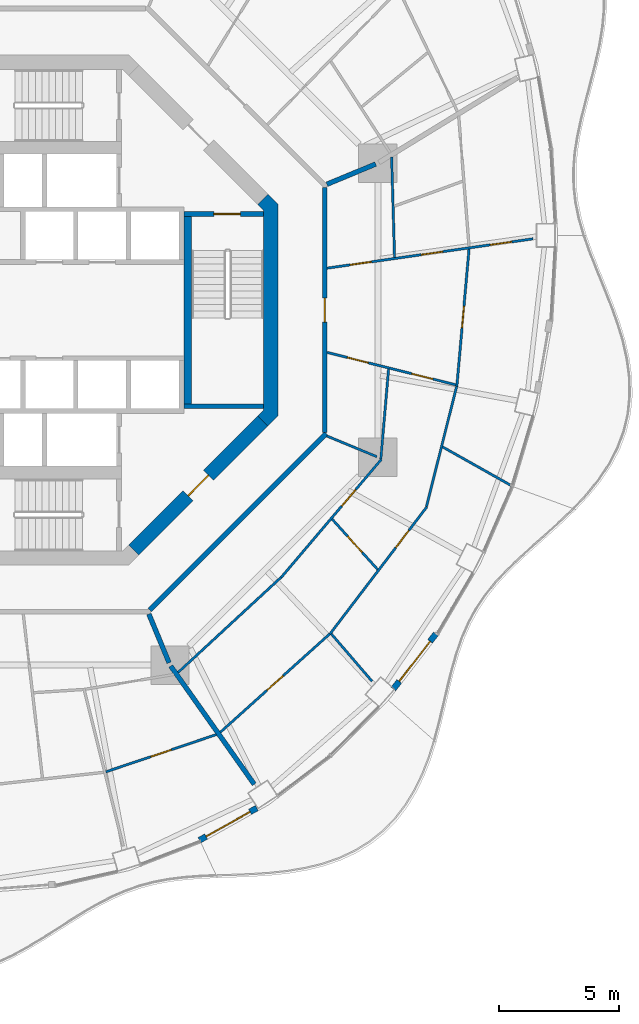
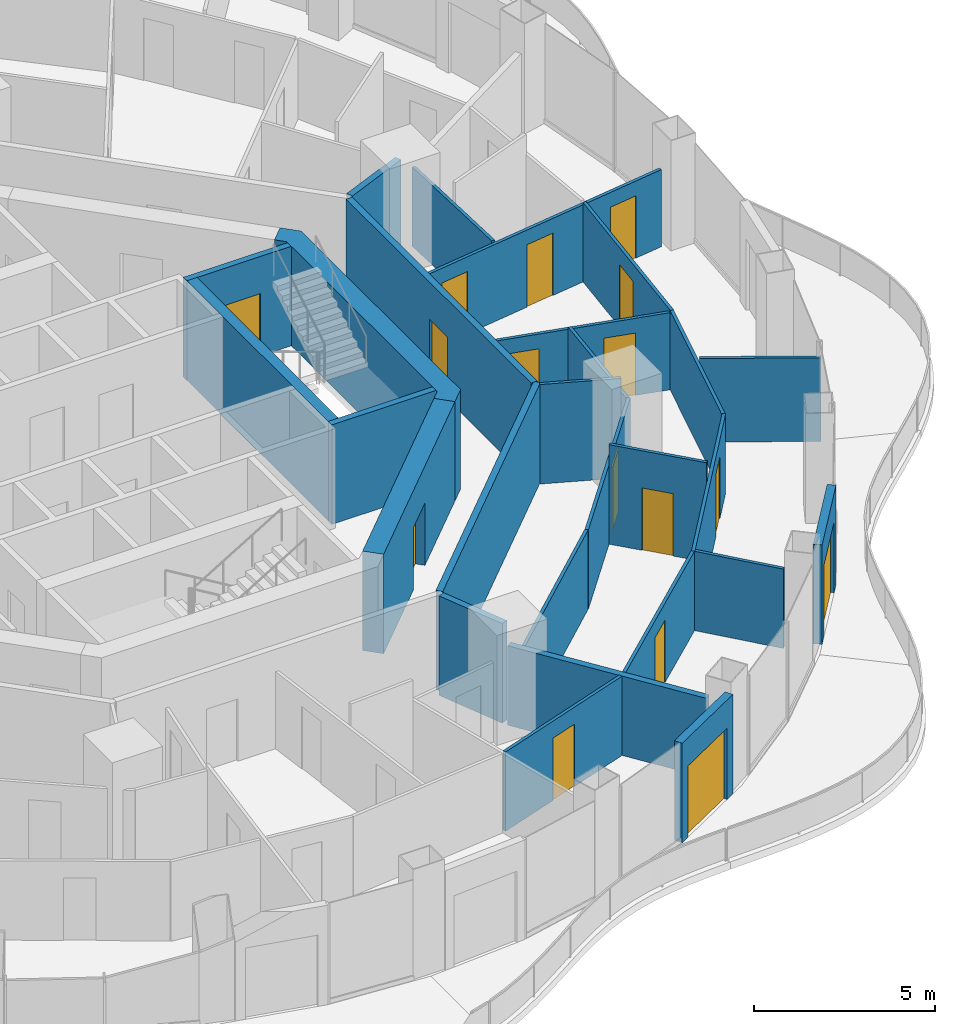
# One storey, part 12 of 18: 27 walls, 16 doors, 16 openings.
"""IFC4 building model written with IfcOpenShell, lengths in metres."""

from ifc_helpers import new_model, si_unit, direction, frame, frame_2d, origin, place, context, subcontext, project, spatial, polyline, rectangle, outline, extrude, material, layer, layer_set, type_object, element, fill, save


model = new_model("IFC4")

# Units and contexts
model_context = context("Model", 3, precision=1e-05, world=origin(), true_north=direction((0.0, 1.0)))
body_context = subcontext(model_context, "Body", "Model", "MODEL_VIEW")
ifc_project = project(units=[si_unit("LENGTHUNIT", "METRE"), si_unit("AREAUNIT", "SQUARE_METRE"), si_unit("VOLUMEUNIT", "CUBIC_METRE"), si_unit("PLANEANGLEUNIT", "RADIAN"), si_unit("MASSUNIT", "GRAM", prefix="KILO")], contexts=[model_context])

# Site, building, storey
site_placement = place(None, origin())
site = spatial("IfcSite", under=ifc_project, at=site_placement, CompositionType="ELEMENT")
building_placement = place(site_placement, origin())
building = spatial("IfcBuilding", under=site, at=building_placement, Name="Nagisa Residences", CompositionType="ELEMENT")
storey_placement = place(building_placement, frame((0.0, 0.0, 249.199951171875)))
storey = spatial("IfcBuildingStorey", under=building, at=storey_placement, Name="L63", CompositionType="ELEMENT", Elevation=249.199951171875)

# Walls
ifc_material_1 = material(Name="Gypsum board on steel studs", Category="steel")
ifc_layer_1 = layer(ifc_material_1, 0.199951171875)
ifc_layer_set_1 = layer_set([ifc_layer_1], Name="Apartment compartment wall EI60 200")
wall_type_1 = type_object("IfcWallType", Name="Apartment compartment wall EI60 200", PredefinedType="PARTITIONING", material=ifc_layer_set_1)
wall_1_placement = place(storey_placement, frame((12.6572265625, 5.24267578125, 0.0), z_axis=(0.0, 0.0, 1.0), x_axis=(0.92383017907, 0.382802560388, 0.0)))
element("IfcWall", 1, at=wall_1_placement, inside=storey, type_object=wall_type_1, Name="wall:L63:u00", PredefinedType="PARTITIONING", context=body_context, shape_type="SweptSolid", body=[
    extrude(rectangle(XDim=2.2001953125, YDim=0.199951171875, at=frame_2d((1.10009765625, 0.0))), origin(), (0.0, 0.0, 1.0), 3.35009765625),
])
wall_2_placement = place(storey_placement, frame((5.24267578125, -12.6572265625, 0.0), z_axis=(0.0, 0.0, 1.0), x_axis=(0.382691608661, -0.923876145736, 0.0)))
element("IfcWall", 2, at=wall_2_placement, inside=storey, type_object=wall_type_1, Name="wall:L63:u04", PredefinedType="PARTITIONING", context=body_context, shape_type="SweptSolid", body=[
    extrude(rectangle(XDim=2.19970703125, YDim=0.199951171875, at=frame_2d((1.099853515625, 0.0))), origin(), (0.0, 0.0, 1.0), 3.35009765625),
])
wall_3_placement = place(storey_placement, frame((6.15185546875, -14.822998046875, 0.0), z_axis=(0.0, 0.0, 1.0), x_axis=(0.576994695158, -0.816747893637, 0.0)))
element("IfcWall", 3, at=wall_3_placement, inside=storey, type_object=wall_type_1, Name="wall:L63:u05", PredefinedType="PARTITIONING", context=body_context, shape_type="SweptSolid", body=[
    extrude(rectangle(XDim=6.0302734375, YDim=0.199951171875, at=frame_2d((3.01513671875, 0.0))), origin(), (0.0, 0.0, 1.0), 2.672119140625),
])

# Wall, opening, door
ifc_material_2 = material(Name="Gypsum board on steel studs", Category="steel")
ifc_layer_2 = layer(ifc_material_2, 0.199951171875)
ifc_layer_set_2 = layer_set([ifc_layer_2], Name="Apartment entry wall EI60 200")
wall_type_2 = type_object("IfcWallType", Name="Apartment entry wall EI60 200", PredefinedType="PARTITIONING", material=ifc_layer_set_2)
wall_4_placement = place(storey_placement, frame((12.564697265625, -5.1044921875, 0.0), z_axis=(0.0, 0.0, 1.0), x_axis=(0.0, 1.0, 0.0)))
wall_4 = element("IfcWall", 4, at=wall_4_placement, inside=storey, type_object=wall_type_2, Name="wall:L63:u06", PredefinedType="PARTITIONING", context=body_context, shape_type="SweptSolid", body=[
    extrude(rectangle(XDim=10.208984375, YDim=0.199951171875, at=frame_2d((5.1044921875, 0.0))), origin(), (0.0, 0.0, 1.0), 3.35009765625),
])
opening_1_placement = place(wall_4_placement, frame((4.6044921875, 0.0, 0.0)))
opening_1 = element("IfcOpeningElement", 5, at=opening_1_placement, cuts=wall_4, Name="Opening L63-U01", PredefinedType="OPENING", context=body_context, shape_type="SweptSolid", body=[
    extrude(rectangle(XDim=1.0, YDim=2.10009765625, at=frame_2d((0.5, 1.050048828125))), frame((0.0, 0.10986328125, 0.0), z_axis=(0.0, -1.0, 0.0), x_axis=(1.0, 0.0, 0.0)), (0.0, 0.0, 1.0), 0.219970703125),
])
ifc_material_3 = material(Name="Timber fire door set", Category="wood")
door_type_1 = type_object("IfcDoorType", Name="Apartment entry door FD30S 1000x2100", OperationType="NOTDEFINED", PredefinedType="DOOR", material=ifc_material_3)
door_1_placement = place(opening_1_placement, frame((1.0, 0.0, 0.0), x_axis=(-1.0, 0.0, 0.0)))
door_1 = element("IfcDoor", 6, at=door_1_placement, inside=storey, type_object=door_type_1, Name="Entry door, Apartment 63A", OperationType="SINGLE_SWING_RIGHT", OverallHeight=2.10009765625, OverallWidth=1.0, PredefinedType="DOOR", context=body_context, shape_type="SweptSolid", body=[
    extrude(rectangle(XDim=1.0, YDim=2.10009765625, at=frame_2d((0.5, 1.050048828125))), frame((0.0, 0.02490234375, 0.0), z_axis=(0.0, -1.0, 0.0), x_axis=(1.0, 0.0, 0.0)), (0.0, 0.0, 1.0), 0.050048828125),
])
fill(opening_1, door_1)

# Wall
wall_5_placement = place(storey_placement, frame((5.275146484375, -12.494140625, 0.0), z_axis=(0.0, 0.0, 1.0), x_axis=(0.707106781187, 0.707106781187, 0.0)))
element("IfcWall", 7, at=wall_5_placement, inside=storey, type_object=wall_type_2, Name="wall:L63:u13", PredefinedType="PARTITIONING", context=body_context, shape_type="SweptSolid", body=[
    extrude(rectangle(XDim=10.4091796875, YDim=0.199951171875, at=frame_2d((5.20458984375, 0.0))), origin(), (0.0, 0.0, 1.0), 3.35009765625),
])

# Wall, openings, doors
ifc_material_4 = material(Name="Gypsum board on steel studs", Category="steel")
ifc_layer_3 = layer(ifc_material_4, 0.10009765625)
ifc_layer_set_3 = layer_set([ifc_layer_3], Name="Apartment partition 100")
wall_type_3 = type_object("IfcWallType", Name="Apartment partition 100", PredefinedType="PARTITIONING", material=ifc_layer_set_3)
wall_6_placement = place(storey_placement, frame((12.663818359375, 1.7490234375, 0.0), z_axis=(0.0, 0.0, 1.0), x_axis=(0.990001845476, 0.141054407783, 0.0)))
wall_6 = element("IfcWall", 8, at=wall_6_placement, inside=storey, type_object=wall_type_3, Name="wall:L63:u14", PredefinedType="PARTITIONING", context=body_context, shape_type="SweptSolid", body=[
    extrude(rectangle(XDim=8.662841796875, YDim=0.10009765625, at=frame_2d((4.33154296875, 0.0))), origin(), (0.0, 0.0, 1.0), 2.59716796875),
])
opening_2_placement = place(wall_6_placement, frame((0.970458984375, 0.0, 0.0)))
opening_2 = element("IfcOpeningElement", 9, at=opening_2_placement, cuts=wall_6, Name="Opening L63-U03", PredefinedType="OPENING", context=body_context, shape_type="SweptSolid", body=[
    extrude(rectangle(XDim=0.89990234375, YDim=2.10009765625, at=frame_2d((0.449951171875, 1.050048828125))), frame((0.0, 0.06005859375, 0.0), z_axis=(0.0, -1.0, 0.0), x_axis=(1.0, 0.0, 0.0)), (0.0, 0.0, 1.0), 0.1201171875),
])
opening_3_placement = place(wall_6_placement, frame((3.95947265625, 0.0, 0.0)))
opening_3 = element("IfcOpeningElement", 10, at=opening_3_placement, cuts=wall_6, Name="Opening L63-U05", PredefinedType="OPENING", context=body_context, shape_type="SweptSolid", body=[
    extrude(rectangle(XDim=0.89990234375, YDim=2.10009765625, at=frame_2d((0.449951171875, 1.050048828125))), frame((0.0, 0.06005859375, 0.0), z_axis=(0.0, -1.0, 0.0), x_axis=(1.0, 0.0, 0.0)), (0.0, 0.0, 1.0), 0.1201171875),
])
opening_4_placement = place(wall_6_placement, frame((6.870361328125, 0.0, 0.0)))
opening_4 = element("IfcOpeningElement", 11, at=opening_4_placement, cuts=wall_6, Name="Opening L63-U08", PredefinedType="OPENING", context=body_context, shape_type="SweptSolid", body=[
    extrude(rectangle(XDim=0.89990234375, YDim=2.10009765625, at=frame_2d((0.449951171875, 1.050048828125))), frame((0.0, 0.06005859375, 0.0), z_axis=(0.0, -1.0, 0.0), x_axis=(1.0, 0.0, 0.0)), (0.0, 0.0, 1.0), 0.1201171875),
])
ifc_material_5 = material(Name="Timber door set", Category="wood")
door_type_2 = type_object("IfcDoorType", Name="Apartment door 900x2100", OperationType="NOTDEFINED", PredefinedType="DOOR", material=ifc_material_5)
door_2_placement = place(opening_2_placement, origin())
door_2 = element("IfcDoor", 12, at=door_2_placement, inside=storey, type_object=door_type_2, Name="Door to store, Apartment 63A", OperationType="SINGLE_SWING_LEFT", OverallHeight=2.10009765625, OverallWidth=0.89990234375, PredefinedType="DOOR", context=body_context, shape_type="SweptSolid", body=[
    extrude(rectangle(XDim=0.89990234375, YDim=2.10009765625, at=frame_2d((0.449951171875, 1.050048828125))), frame((0.0, 0.02490234375, 0.0), z_axis=(0.0, -1.0, 0.0), x_axis=(1.0, 0.0, 0.0)), (0.0, 0.0, 1.0), 0.050048828125),
])
fill(opening_2, door_2)
door_3_placement = place(opening_3_placement, origin())
door_3 = element("IfcDoor", 13, at=door_3_placement, inside=storey, type_object=door_type_2, Name="Door to family bathroom, Apartment 63A", OperationType="SINGLE_SWING_LEFT", OverallHeight=2.10009765625, OverallWidth=0.89990234375, PredefinedType="DOOR", context=body_context, shape_type="SweptSolid", body=[
    extrude(rectangle(XDim=0.89990234375, YDim=2.10009765625, at=frame_2d((0.449951171875, 1.050048828125))), frame((0.0, 0.02490234375, 0.0), z_axis=(0.0, -1.0, 0.0), x_axis=(1.0, 0.0, 0.0)), (0.0, 0.0, 1.0), 0.050048828125),
])
fill(opening_3, door_3)
door_4_placement = place(opening_4_placement, origin())
door_4 = element("IfcDoor", 14, at=door_4_placement, inside=storey, type_object=door_type_2, Name="Door to bedroom, Apartment 63A", OperationType="SINGLE_SWING_RIGHT", OverallHeight=2.10009765625, OverallWidth=0.89990234375, PredefinedType="DOOR", context=body_context, shape_type="SweptSolid", body=[
    extrude(rectangle(XDim=0.89990234375, YDim=2.10009765625, at=frame_2d((0.449951171875, 1.050048828125))), frame((0.0, 0.02490234375, 0.0), z_axis=(0.0, -1.0, 0.0), x_axis=(1.0, 0.0, 0.0)), (0.0, 0.0, 1.0), 0.050048828125),
])
fill(opening_4, door_4)

# Wall
wall_7_placement = place(storey_placement, frame((15.474853515625, 2.19970703125, 0.0), z_axis=(0.0, 0.0, 1.0), x_axis=(-0.029254623973, 0.999571991893, 0.0)))
element("IfcWall", 15, at=wall_7_placement, inside=storey, type_object=wall_type_3, Name="wall:L63:u15", PredefinedType="PARTITIONING", context=body_context, shape_type="SweptSolid", body=[
    extrude(rectangle(XDim=4.172607421875, YDim=0.10009765625, at=frame_2d((2.08642578125, 0.0))), origin(), (0.0, 0.0, 1.0), 2.672119140625),
])

# Wall, opening, door
wall_8_placement = place(storey_placement, frame((18.57763671875, 2.54248046875, 0.0), z_axis=(0.0, 0.0, 1.0), x_axis=(-0.088651453697, -0.996062708748, 0.0)))
wall_8 = element("IfcWall", 16, at=wall_8_placement, inside=storey, type_object=wall_type_3, Name="wall:L63:u17", PredefinedType="PARTITIONING", context=body_context, shape_type="SweptSolid", body=[
    extrude(rectangle(XDim=5.736572265625, YDim=0.10009765625, at=frame_2d((2.8681640625, 0.0))), origin(), (0.0, 0.0, 1.0), 2.672119140625),
])
opening_5_placement = place(wall_8_placement, frame((2.39306640625, 0.0, 0.0)))
opening_5 = element("IfcOpeningElement", 17, at=opening_5_placement, cuts=wall_8, Name="Opening L63-U07", PredefinedType="OPENING", context=body_context, shape_type="SweptSolid", body=[
    extrude(rectangle(XDim=0.89990234375, YDim=2.10009765625, at=frame_2d((0.449951171875, 1.050048828125))), frame((0.0, 0.06005859375, 0.0), z_axis=(0.0, -1.0, 0.0), x_axis=(1.0, 0.0, 0.0)), (0.0, 0.0, 1.0), 0.1201171875),
])
door_5_placement = place(opening_5_placement, origin())
door_5 = element("IfcDoor", 18, at=door_5_placement, inside=storey, type_object=door_type_2, Name="Door to family room, Apartment 63A", OperationType="SINGLE_SWING_LEFT", OverallHeight=2.10009765625, OverallWidth=0.89990234375, PredefinedType="DOOR", context=body_context, shape_type="SweptSolid", body=[
    extrude(rectangle(XDim=0.89990234375, YDim=2.10009765625, at=frame_2d((0.449951171875, 1.050048828125))), frame((0.0, 0.02490234375, 0.0), z_axis=(0.0, -1.0, 0.0), x_axis=(1.0, 0.0, 0.0)), (0.0, 0.0, 1.0), 0.050048828125),
])
fill(opening_5, door_5)

wall_9_placement = place(storey_placement, frame((3.453125, -19.228759765625, 0.0), z_axis=(0.0, 0.0, 1.0), x_axis=(0.947565610716, 0.31956128268, 0.0)))
wall_9 = element("IfcWall", 19, at=wall_9_placement, inside=storey, type_object=wall_type_3, Name="wall:L63:u78", PredefinedType="PARTITIONING", context=body_context, shape_type="SweptSolid", body=[
    extrude(rectangle(XDim=4.852783203125, YDim=0.10009765625, at=frame_2d((2.42626953125, 0.0))), origin(), (0.0, 0.0, 1.0), 2.672119140625),
])
opening_6_placement = place(wall_9_placement, frame((1.976318359375, 0.0, 0.0)))
opening_6 = element("IfcOpeningElement", 20, at=opening_6_placement, cuts=wall_9, Name="Opening L63-U47", PredefinedType="OPENING", context=body_context, shape_type="SweptSolid", body=[
    extrude(rectangle(XDim=0.89990234375, YDim=2.10009765625, at=frame_2d((0.449951171875, 1.050048828125))), frame((0.0, 0.06005859375, 0.0), z_axis=(0.0, -1.0, 0.0), x_axis=(1.0, 0.0, 0.0)), (0.0, 0.0, 1.0), 0.1201171875),
])
door_6_placement = place(opening_6_placement, frame((0.89990234375, 0.0, 0.0), x_axis=(-1.0, 0.0, 0.0)))
door_6 = element("IfcDoor", 21, at=door_6_placement, inside=storey, type_object=door_type_2, Name="Door to bedroom, Apartment 63C", OperationType="SINGLE_SWING_RIGHT", OverallHeight=2.10009765625, OverallWidth=0.89990234375, PredefinedType="DOOR", context=body_context, shape_type="SweptSolid", body=[
    extrude(rectangle(XDim=0.89990234375, YDim=2.10009765625, at=frame_2d((0.449951171875, 1.050048828125))), frame((0.0, 0.02490234375, 0.0), z_axis=(0.0, -1.0, 0.0), x_axis=(1.0, 0.0, 0.0)), (0.0, 0.0, 1.0), 0.050048828125),
])
fill(opening_6, door_6)

# Wall
wall_10_placement = place(storey_placement, frame((6.460693359375, -15.08837890625, 0.0), z_axis=(0.0, 0.0, 1.0), x_axis=(0.73461579427, 0.678483334217, 0.0)))
element("IfcWall", 22, at=wall_10_placement, inside=storey, type_object=wall_type_3, Name="wall:L63:u79", PredefinedType="PARTITIONING", context=body_context, shape_type="SweptSolid", body=[
    extrude(rectangle(XDim=5.8369140625, YDim=0.10009765625, at=frame_2d((2.91845703125, 0.0))), origin(), (0.0, 0.0, 1.0), 2.672119140625),
])

# Wall, opening, door
wall_11_placement = place(storey_placement, frame((8.220458984375, -17.5791015625, 0.0), z_axis=(0.0, 0.0, 1.0), x_axis=(0.743696370895, 0.668517544958, 0.0)))
wall_11 = element("IfcWall", 23, at=wall_11_placement, inside=storey, type_object=wall_type_3, Name="wall:L63:u80", PredefinedType="PARTITIONING", context=body_context, shape_type="SweptSolid", body=[
    extrude(rectangle(XDim=6.124755859375, YDim=0.10009765625, at=frame_2d((3.0625, 0.0))), origin(), (0.0, 0.0, 1.0), 2.672119140625),
])
opening_7_placement = place(wall_11_placement, frame((2.6123046875, 0.0, 0.0)))
opening_7 = element("IfcOpeningElement", 24, at=opening_7_placement, cuts=wall_11, Name="Opening L63-U12", PredefinedType="OPENING", context=body_context, shape_type="SweptSolid", body=[
    extrude(rectangle(XDim=0.89990234375, YDim=2.10009765625, at=frame_2d((0.449951171875, 1.050048828125))), frame((0.0, 0.06005859375, 0.0), z_axis=(0.0, -1.0, 0.0), x_axis=(1.0, 0.0, 0.0)), (0.0, 0.0, 1.0), 0.1201171875),
])
door_7_placement = place(opening_7_placement, frame((0.89990234375, 0.0, 0.0), x_axis=(-1.0, 0.0, 0.0)))
door_7 = element("IfcDoor", 25, at=door_7_placement, inside=storey, type_object=door_type_2, Name="Door to study, Apartment 63A", OperationType="SINGLE_SWING_LEFT", OverallHeight=2.10009765625, OverallWidth=0.89990234375, PredefinedType="DOOR", context=body_context, shape_type="SweptSolid", body=[
    extrude(rectangle(XDim=0.89990234375, YDim=2.10009765625, at=frame_2d((0.449951171875, 1.050048828125))), frame((0.0, 0.02490234375, 0.0), z_axis=(0.0, -1.0, 0.0), x_axis=(1.0, 0.0, 0.0)), (0.0, 0.0, 1.0), 0.050048828125),
])
fill(opening_7, door_7)

wall_12_placement = place(storey_placement, frame((10.7529296875, -11.13232421875, 0.0), z_axis=(0.0, 0.0, 1.0), x_axis=(0.64700741656, 0.762483706657, 0.0)))
wall_12 = element("IfcWall", 26, at=wall_12_placement, inside=storey, type_object=wall_type_3, Name="wall:L63:u81", PredefinedType="PARTITIONING", context=body_context, shape_type="SweptSolid", body=[
    extrude(rectangle(XDim=6.458984375, YDim=0.10009765625, at=frame_2d((3.2294921875, 0.0))), origin(), (0.0, 0.0, 1.0), 2.672119140625),
])
opening_8_placement = place(wall_12_placement, frame((3.8955078125, 0.0, 0.0)))
opening_8 = element("IfcOpeningElement", 27, at=opening_8_placement, cuts=wall_12, Name="Opening L63-U09", PredefinedType="OPENING", context=body_context, shape_type="SweptSolid", body=[
    extrude(rectangle(XDim=0.89990234375, YDim=2.10009765625, at=frame_2d((0.449951171875, 1.050048828125))), frame((0.0, 0.06005859375, 0.0), z_axis=(0.0, -1.0, 0.0), x_axis=(1.0, 0.0, 0.0)), (0.0, 0.0, 1.0), 0.1201171875),
])
door_8_placement = place(opening_8_placement, origin())
door_8 = element("IfcDoor", 28, at=door_8_placement, inside=storey, type_object=door_type_2, Name="Door to laundry, Apartment 63A", OperationType="SINGLE_SWING_LEFT", OverallHeight=2.10009765625, OverallWidth=0.89990234375, PredefinedType="DOOR", context=body_context, shape_type="SweptSolid", body=[
    extrude(rectangle(XDim=0.89990234375, YDim=2.10009765625, at=frame_2d((0.449951171875, 1.050048828125))), frame((0.0, 0.02490234375, 0.0), z_axis=(0.0, -1.0, 0.0), x_axis=(1.0, 0.0, 0.0)), (0.0, 0.0, 1.0), 0.050048828125),
])
fill(opening_8, door_8)

# Wall
wall_13_placement = place(storey_placement, frame((12.84521484375, -13.489013671875, 0.0), z_axis=(0.0, 0.0, 1.0), x_axis=(0.652092276587, -0.758139606416, 0.0)))
element("IfcWall", 29, at=wall_13_placement, inside=storey, type_object=wall_type_3, Name="wall:L63:u82", PredefinedType="PARTITIONING", context=body_context, shape_type="SweptSolid", body=[
    extrude(rectangle(XDim=2.594482421875, YDim=0.10009765625, at=frame_2d((1.29736328125, 0.0))), origin(), (0.0, 0.0, 1.0), 2.672119140625),
])

# Wall, opening, door
wall_14_placement = place(storey_placement, frame((12.7822265625, -13.490966796875, 0.0), z_axis=(0.0, 0.0, 1.0), x_axis=(0.606125925512, 0.795368695903, 0.0)))
wall_14 = element("IfcWall", 30, at=wall_14_placement, inside=storey, type_object=wall_type_3, Name="wall:L63:u83", PredefinedType="PARTITIONING", context=body_context, shape_type="SweptSolid", body=[
    extrude(rectangle(XDim=6.669677734375, YDim=0.10009765625, at=frame_2d((3.3349609375, 0.0))), origin(), (0.0, 0.0, 1.0), 2.672119140625),
])
opening_9_placement = place(wall_14_placement, frame((4.52734375, 0.0, 0.0)))
opening_9 = element("IfcOpeningElement", 31, at=opening_9_placement, cuts=wall_14, Name="Opening L63-U06", PredefinedType="OPENING", context=body_context, shape_type="SweptSolid", body=[
    extrude(rectangle(XDim=0.89990234375, YDim=2.10009765625, at=frame_2d((0.449951171875, 1.050048828125))), frame((0.0, 0.06005859375, 0.0), z_axis=(0.0, -1.0, 0.0), x_axis=(1.0, 0.0, 0.0)), (0.0, 0.0, 1.0), 0.1201171875),
])
door_9_placement = place(opening_9_placement, frame((0.89990234375, 0.0, 0.0), x_axis=(-1.0, 0.0, 0.0)))
door_9 = element("IfcDoor", 32, at=door_9_placement, inside=storey, type_object=door_type_2, Name="Door to bedroom, Apartment 63A", OperationType="SINGLE_SWING_LEFT", OverallHeight=2.10009765625, OverallWidth=0.89990234375, PredefinedType="DOOR", context=body_context, shape_type="SweptSolid", body=[
    extrude(rectangle(XDim=0.89990234375, YDim=2.10009765625, at=frame_2d((0.449951171875, 1.050048828125))), frame((0.0, 0.02490234375, 0.0), z_axis=(0.0, -1.0, 0.0), x_axis=(1.0, 0.0, 0.0)), (0.0, 0.0, 1.0), 0.050048828125),
])
fill(opening_9, door_9)

wall_15_placement = place(storey_placement, frame((12.8759765625, -8.70703125, 0.0), z_axis=(0.0, 0.0, 1.0), x_axis=(0.670768418052, -0.741666858733, 0.0)))
wall_15 = element("IfcWall", 33, at=wall_15_placement, inside=storey, type_object=wall_type_3, Name="wall:L63:u84", PredefinedType="PARTITIONING", context=body_context, shape_type="SweptSolid", body=[
    extrude(rectangle(XDim=2.82373046875, YDim=0.10009765625, at=frame_2d((1.411865234375, 0.0))), origin(), (0.0, 0.0, 1.0), 3.35009765625),
])
opening_10_placement = place(wall_15_placement, frame((0.9619140625, 0.0, 0.0)))
opening_10 = element("IfcOpeningElement", 34, at=opening_10_placement, cuts=wall_15, Name="Opening L63-U10", PredefinedType="OPENING", context=body_context, shape_type="SweptSolid", body=[
    extrude(rectangle(XDim=0.89990234375, YDim=2.10009765625, at=frame_2d((0.449951171875, 1.050048828125))), frame((0.0, 0.06005859375, 0.0), z_axis=(0.0, -1.0, 0.0), x_axis=(1.0, 0.0, 0.0)), (0.0, 0.0, 1.0), 0.1201171875),
])
door_10_placement = place(opening_10_placement, frame((0.89990234375, 0.0, 0.0), x_axis=(-1.0, 0.0, 0.0)))
door_10 = element("IfcDoor", 35, at=door_10_placement, inside=storey, type_object=door_type_2, Name="Door to kitchen, Apartment 63A", OperationType="SINGLE_SWING_LEFT", OverallHeight=2.10009765625, OverallWidth=0.89990234375, PredefinedType="DOOR", context=body_context, shape_type="SweptSolid", body=[
    extrude(rectangle(XDim=0.89990234375, YDim=2.10009765625, at=frame_2d((0.449951171875, 1.050048828125))), frame((0.0, 0.02490234375, 0.0), z_axis=(0.0, -1.0, 0.0), x_axis=(1.0, 0.0, 0.0)), (0.0, 0.0, 1.0), 0.050048828125),
])
fill(opening_10, door_10)

# Walls
wall_16_placement = place(storey_placement, frame((12.6572265625, -5.24267578125, 0.0), z_axis=(0.0, 0.0, 1.0), x_axis=(0.923864733477, -0.382719158442, 0.0)))
element("IfcWall", 36, at=wall_16_placement, inside=storey, type_object=wall_type_3, Name="wall:L63:u85", PredefinedType="PARTITIONING", context=body_context, shape_type="SweptSolid", body=[
    extrude(rectangle(XDim=2.25, YDim=0.10009765625, at=frame_2d((1.125, 0.0))), origin(), (0.0, 0.0, 1.0), 3.35009765625),
])
wall_17_placement = place(storey_placement, frame((14.90380859375, -6.19580078125, 0.0), z_axis=(0.0, 0.0, 1.0), x_axis=(0.085843822439, 0.996308605879, 0.0)))
element("IfcWall", 37, at=wall_17_placement, inside=storey, type_object=wall_type_3, Name="wall:L63:u86", PredefinedType="PARTITIONING", context=body_context, shape_type="SweptSolid", body=[
    extrude(rectangle(XDim=3.754150390625, YDim=0.10009765625, at=frame_2d((1.876953125, 0.0))), origin(), (0.0, 0.0, 1.0), 2.672119140625),
])
wall_18_placement = place(storey_placement, frame((16.806884765625, -8.17724609375, 0.0), z_axis=(0.0, 0.0, 1.0), x_axis=(0.243002985225, 0.970025540474, 0.0)))
element("IfcWall", 38, at=wall_18_placement, inside=storey, type_object=wall_type_3, Name="wall:L63:u87", PredefinedType="PARTITIONING", context=body_context, shape_type="SweptSolid", body=[
    extrude(rectangle(XDim=5.162109375, YDim=0.10009765625, at=frame_2d((2.5810546875, 0.0))), origin(), (0.0, 0.0, 1.0), 2.672119140625),
])
wall_19_placement = place(storey_placement, frame((17.4775390625, -5.6982421875, 0.0), z_axis=(0.0, 0.0, 1.0), x_axis=(0.871478399743, -0.490433888288, 0.0)))
element("IfcWall", 39, at=wall_19_placement, inside=storey, type_object=wall_type_3, Name="wall:L63:u88", PredefinedType="PARTITIONING", context=body_context, shape_type="SweptSolid", body=[
    extrude(rectangle(XDim=3.356689453125, YDim=0.10009765625, at=frame_2d((1.67822265625, 0.0))), origin(), (0.0, 0.0, 1.0), 2.81494140625),
])

# Wall, openings, doors
wall_20_placement = place(storey_placement, frame((12.66162109375, -1.75927734375, 0.0), z_axis=(0.0, 0.0, 1.0), x_axis=(0.969746519828, -0.24411408661, 0.0)))
wall_20 = element("IfcWall", 40, at=wall_20_placement, inside=storey, type_object=wall_type_3, Name="wall:L63:u89", PredefinedType="PARTITIONING", context=body_context, shape_type="SweptSolid", body=[
    extrude(rectangle(XDim=5.530517578125, YDim=0.10009765625, at=frame_2d((2.76513671875, 0.0))), origin(), (0.0, 0.0, 1.0), 2.59716796875),
])
opening_11_placement = place(wall_20_placement, frame((0.874267578125, 0.0, 0.0)))
opening_11 = element("IfcOpeningElement", 41, at=opening_11_placement, cuts=wall_20, Name="Opening L63-U02", PredefinedType="OPENING", context=body_context, shape_type="SweptSolid", body=[
    extrude(rectangle(XDim=0.89990234375, YDim=2.10009765625, at=frame_2d((0.449951171875, 1.050048828125))), frame((0.0, 0.06005859375, 0.0), z_axis=(0.0, -1.0, 0.0), x_axis=(1.0, 0.0, 0.0)), (0.0, 0.0, 1.0), 0.1201171875),
])
opening_12_placement = place(wall_20_placement, frame((3.6396484375, 0.0, 0.0)))
opening_12 = element("IfcOpeningElement", 42, at=opening_12_placement, cuts=wall_20, Name="Opening L63-U04", PredefinedType="OPENING", context=body_context, shape_type="SweptSolid", body=[
    extrude(rectangle(XDim=0.89990234375, YDim=2.10009765625, at=frame_2d((0.449951171875, 1.050048828125))), frame((0.0, 0.06005859375, 0.0), z_axis=(0.0, -1.0, 0.0), x_axis=(1.0, 0.0, 0.0)), (0.0, 0.0, 1.0), 0.1201171875),
])
door_11_placement = place(opening_11_placement, frame((0.89990234375, 0.0, 0.0), x_axis=(-1.0, 0.0, 0.0)))
door_11 = element("IfcDoor", 43, at=door_11_placement, inside=storey, type_object=door_type_2, Name="Door to store, Apartment 63A", OperationType="SINGLE_SWING_LEFT", OverallHeight=2.10009765625, OverallWidth=0.89990234375, PredefinedType="DOOR", context=body_context, shape_type="SweptSolid", body=[
    extrude(rectangle(XDim=0.89990234375, YDim=2.10009765625, at=frame_2d((0.449951171875, 1.050048828125))), frame((0.0, 0.02490234375, 0.0), z_axis=(0.0, -1.0, 0.0), x_axis=(1.0, 0.0, 0.0)), (0.0, 0.0, 1.0), 0.050048828125),
])
fill(opening_11, door_11)
door_12_placement = place(opening_12_placement, frame((0.89990234375, 0.0, 0.0), x_axis=(-1.0, 0.0, 0.0)))
door_12 = element("IfcDoor", 44, at=door_12_placement, inside=storey, type_object=door_type_2, Name="Door to study, Apartment 63A", OperationType="SINGLE_SWING_LEFT", OverallHeight=2.10009765625, OverallWidth=0.89990234375, PredefinedType="DOOR", context=body_context, shape_type="SweptSolid", body=[
    extrude(rectangle(XDim=0.89990234375, YDim=2.10009765625, at=frame_2d((0.449951171875, 1.050048828125))), frame((0.0, 0.02490234375, 0.0), z_axis=(0.0, -1.0, 0.0), x_axis=(1.0, 0.0, 0.0)), (0.0, 0.0, 1.0), 0.050048828125),
])
fill(opening_12, door_12)

# Wall, opening, door
ifc_material_6 = material(Name="Precast concrete C40/50", Category="concrete")
ifc_layer_4 = layer(ifc_material_6, 0.25)
ifc_layer_set_4 = layer_set([ifc_layer_4], Name="BALCONY DOOR WALL 250")
wall_type_4 = type_object("IfcWallType", Name="BALCONY DOOR WALL 250", PredefinedType="SOLIDWALL", material=ifc_layer_set_4)
wall_21_placement = place(storey_placement, frame((9.73779296875, -20.738525390625, 0.0), z_axis=(0.0, 0.0, 1.0), x_axis=(-0.872079929129, -0.489363461254, 0.0)))
wall_21 = element("IfcWall", 45, at=wall_21_placement, inside=storey, type_object=wall_type_4, Name="wall:L63:bay39", PredefinedType="SOLIDWALL", context=body_context, shape_type="SweptSolid", body=[
    extrude(rectangle(XDim=2.738037109375, YDim=0.25, at=frame_2d((1.369140625, 0.0))), origin(), (0.0, 0.0, 1.0), 3.35009765625),
])
opening_13_placement = place(wall_21_placement, frame((0.319091796875, 0.0, 0.0)))
opening_13 = element("IfcOpeningElement", 46, at=opening_13_placement, cuts=wall_21, Name="Opening BD-L63-14", PredefinedType="OPENING", context=body_context, shape_type="SweptSolid", body=[
    extrude(rectangle(XDim=2.10009765625, YDim=2.39990234375, at=frame_2d((1.050048828125, 1.199951171875))), frame((0.0, 0.135009765625, 0.0), z_axis=(0.0, -1.0, 0.0), x_axis=(1.0, 0.0, 0.0)), (0.0, 0.0, 1.0), 0.27001953125),
])
ifc_material_7 = material(Name="Aluminium and clear glass", Category="aluminium")
door_type_3 = type_object("IfcDoorType", Name="BALCONY SLIDING DOOR 2100x2400", OperationType="SLIDING_TO_LEFT", PredefinedType="DOOR", material=ifc_material_7)
door_13_placement = place(opening_13_placement, origin())
door_13 = element("IfcDoor", 47, at=door_13_placement, inside=storey, type_object=door_type_3, Name="door:L63:bay39", OperationType="SLIDING_TO_LEFT", OverallHeight=2.39990234375, OverallWidth=2.10009765625, PredefinedType="DOOR", context=body_context, shape_type="SweptSolid", body=[
    extrude(rectangle(XDim=2.10009765625, YDim=2.39990234375, at=frame_2d((1.050048828125, 1.199951171875))), frame((0.0, 0.02490234375, 0.0), z_axis=(0.0, -1.0, 0.0), x_axis=(1.0, 0.0, 0.0)), (0.0, 0.0, 1.0), 0.050048828125),
])
fill(opening_13, door_13)

wall_22_placement = place(storey_placement, frame((17.197021484375, -13.47998046875, 0.0), z_axis=(0.0, 0.0, 1.0), x_axis=(-0.610438565676, -0.792063607001, 0.0)))
wall_22 = element("IfcWall", 48, at=wall_22_placement, inside=storey, type_object=wall_type_4, Name="wall:L63:bay42", PredefinedType="SOLIDWALL", context=body_context, shape_type="SweptSolid", body=[
    extrude(rectangle(XDim=2.90087890625, YDim=0.25, at=frame_2d((1.450439453125, 0.0))), origin(), (0.0, 0.0, 1.0), 3.35009765625),
])
opening_14_placement = place(wall_22_placement, frame((0.400390625, 0.0, 0.0)))
opening_14 = element("IfcOpeningElement", 49, at=opening_14_placement, cuts=wall_22, Name="Opening BD-L63-15", PredefinedType="OPENING", context=body_context, shape_type="SweptSolid", body=[
    extrude(rectangle(XDim=2.10009765625, YDim=2.39990234375, at=frame_2d((1.050048828125, 1.199951171875))), frame((0.0, 0.135009765625, 0.0), z_axis=(0.0, -1.0, 0.0), x_axis=(1.0, 0.0, 0.0)), (0.0, 0.0, 1.0), 0.27001953125),
])
door_14_placement = place(opening_14_placement, origin())
door_14 = element("IfcDoor", 50, at=door_14_placement, inside=storey, type_object=door_type_3, Name="door:L63:bay42", OperationType="SLIDING_TO_LEFT", OverallHeight=2.39990234375, OverallWidth=2.10009765625, PredefinedType="DOOR", context=body_context, shape_type="SweptSolid", body=[
    extrude(rectangle(XDim=2.10009765625, YDim=2.39990234375, at=frame_2d((1.050048828125, 1.199951171875))), frame((0.0, 0.02490234375, 0.0), z_axis=(0.0, -1.0, 0.0), x_axis=(1.0, 0.0, 0.0)), (0.0, 0.0, 1.0), 0.050048828125),
])
fill(opening_14, door_14)

ifc_material_8 = material(Name="Concrete C60", Category="concrete")
ifc_layer_5 = layer(ifc_material_8, 0.60009765625)
ifc_layer_set_5 = layer_set([ifc_layer_5], Name="Core shear wall 600")
wall_type_5 = type_object("IfcWallType", Name="Core shear wall 600", PredefinedType="SHEAR", material=ifc_layer_set_5)
wall_23_placement = place(storey_placement, frame((4.613037109375, -9.98828125, 0.0), z_axis=(0.0, 0.0, 1.0), x_axis=(0.707106781187, 0.707106781187, 0.0)))
wall_23 = element("IfcWall", 51, at=wall_23_placement, inside=storey, type_object=wall_type_5, Name="wall:L63:core:flat7", PredefinedType="SHEAR", context=body_context, shape_type="SweptSolid", body=[
    extrude(rectangle(XDim=7.601806640625, YDim=0.60009765625, at=frame_2d((3.80078125, 0.0))), origin(), (0.0, 0.0, 1.0), 3.35009765625),
])
opening_15_placement = place(wall_23_placement, frame((3.200927734375, 0.0, 0.0)))
opening_15 = element("IfcOpeningElement", 52, at=opening_15_placement, cuts=wall_23, Name="Opening L63-C20", PredefinedType="OPENING", context=body_context, shape_type="SweptSolid", body=[
    extrude(rectangle(XDim=1.199951171875, YDim=2.10009765625, at=frame_2d((0.60009765625, 1.050048828125))), frame((0.0, 0.31005859375, 0.0), z_axis=(0.0, -1.0, 0.0), x_axis=(1.0, 0.0, 0.0)), (0.0, 0.0, 1.0), 0.6201171875),
])
ifc_material_9 = material(Name="Steel fire door", Category="steel")
door_type_4 = type_object("IfcDoorType", Name="Fire door EI60 1200x2100 single swing", OperationType="NOTDEFINED", PredefinedType="DOOR", material=ifc_material_9)
door_15_placement = place(opening_15_placement, origin())
door_15 = element("IfcDoor", 53, at=door_15_placement, inside=storey, type_object=door_type_4, Name="Firefighting lobby 2 door L63", OperationType="SINGLE_SWING_RIGHT", OverallHeight=2.10009765625, OverallWidth=1.199951171875, PredefinedType="DOOR", context=body_context, shape_type="SweptSolid", body=[
    extrude(rectangle(XDim=1.199951171875, YDim=2.10009765625, at=frame_2d((0.60009765625, 1.050048828125))), frame((0.0, 0.02490234375, 0.0), z_axis=(0.0, -1.0, 0.0), x_axis=(1.0, 0.0, 0.0)), (0.0, 0.0, 1.0), 0.050048828125),
])
fill(opening_15, door_15)

# Wall
wall_24_placement = place(storey_placement, origin())
element("IfcWall", 54, at=wall_24_placement, inside=storey, type_object=wall_type_5, Name="wall:L63:core:flat0", PredefinedType="SHEAR", context=body_context, shape_type="SweptSolid", body=[
    extrude(outline(polyline([(9.776123046875, -4.40087890625), (10.024658203125, -4.15234375), (10.024658203125, -3.801025390625), (10.024658203125, 4.15234375), (9.776123046875, 4.40087890625), (10.200439453125, 4.8251953125), (10.62451171875, 4.40087890625), (10.62451171875, -4.40087890625), (10.200439453125, -4.8251953125), (9.776123046875, -4.40087890625)])), origin(), (0.0, 0.0, 1.0), 3.35009765625),
])

# Wall, opening, door
ifc_material_10 = material(Name="Concrete C60", Category="concrete")
ifc_layer_6 = layer(ifc_material_10, 0.199951171875)
ifc_layer_set_6 = layer_set([ifc_layer_6], Name="Stair enclosure wall 200")
wall_type_6 = type_object("IfcWallType", Name="Stair enclosure wall 200", PredefinedType="SOLIDWALL", material=ifc_layer_set_6)
wall_25_placement = place(storey_placement, frame((6.699951171875, 4.0, 0.0), z_axis=(0.0, 0.0, 1.0), x_axis=(1.0, 0.0, 0.0)))
wall_25 = element("IfcWall", 55, at=wall_25_placement, inside=storey, type_object=wall_type_6, Name="wall:L63:SE_n", PredefinedType="SOLIDWALL", context=body_context, shape_type="SweptSolid", body=[
    extrude(rectangle(XDim=3.32470703125, YDim=0.199951171875, at=frame_2d((1.662353515625, 0.0))), origin(), (0.0, 0.0, 1.0), 3.35009765625),
])
opening_16_placement = place(wall_25_placement, frame((1.25, 0.0, 0.0)))
opening_16 = element("IfcOpeningElement", 56, at=opening_16_placement, cuts=wall_25, Name="Opening L63-C08", PredefinedType="OPENING", context=body_context, shape_type="SweptSolid", body=[
    extrude(rectangle(XDim=1.10009765625, YDim=2.10009765625, at=frame_2d((0.550048828125, 1.050048828125))), frame((0.0, 0.10986328125, 0.0), z_axis=(0.0, -1.0, 0.0), x_axis=(1.0, 0.0, 0.0)), (0.0, 0.0, 1.0), 0.219970703125),
])
ifc_material_11 = material(Name="Steel fire door", Category="steel")
door_type_5 = type_object("IfcDoorType", Name="Fire door EI90 1100x2100 single swing", OperationType="NOTDEFINED", PredefinedType="DOOR", material=ifc_material_11)
door_16_placement = place(opening_16_placement, frame((1.10009765625, 0.0, 0.0), x_axis=(-1.0, 0.0, 0.0)))
door_16 = element("IfcDoor", 57, at=door_16_placement, inside=storey, type_object=door_type_5, Name="Stair door ST-E L63", OperationType="SINGLE_SWING_RIGHT", OverallHeight=2.10009765625, OverallWidth=1.10009765625, PredefinedType="DOOR", context=body_context, shape_type="SweptSolid", body=[
    extrude(rectangle(XDim=1.10009765625, YDim=2.10009765625, at=frame_2d((0.550048828125, 1.050048828125))), frame((0.0, 0.02490234375, 0.0), z_axis=(0.0, -1.0, 0.0), x_axis=(1.0, 0.0, 0.0)), (0.0, 0.0, 1.0), 0.050048828125),
])
fill(opening_16, door_16)

# Walls
wall_26_placement = place(storey_placement, origin())
element("IfcWall", 58, at=wall_26_placement, inside=storey, type_object=wall_type_6, Name="wall:L63:SE_w", PredefinedType="SOLIDWALL", context=body_context, shape_type="SweptSolid", body=[
    extrude(outline(polyline([(7.024658203125, -3.89990234375), (6.699951171875, -3.89990234375), (6.699951171875, 3.89990234375), (7.024658203125, 3.89990234375), (7.024658203125, -3.89990234375)])), origin(), (0.0, 0.0, 1.0), 3.35009765625),
])
wall_27_placement = place(storey_placement, origin())
element("IfcWall", 59, at=wall_27_placement, inside=storey, type_object=wall_type_6, Name="wall:L63:SE_s", PredefinedType="SOLIDWALL", context=body_context, shape_type="SweptSolid", body=[
    extrude(outline(polyline([(10.024658203125, -4.10009765625), (6.699951171875, -4.10009765625), (6.699951171875, -3.89990234375), (10.024658203125, -3.89990234375), (10.024658203125, -4.10009765625)])), origin(), (0.0, 0.0, 1.0), 3.35009765625),
])

save(model, "model.ifc")
